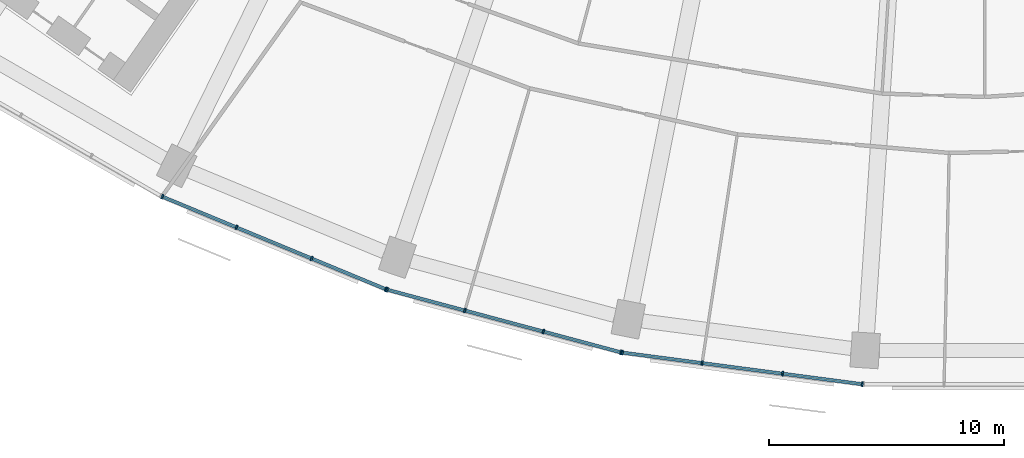
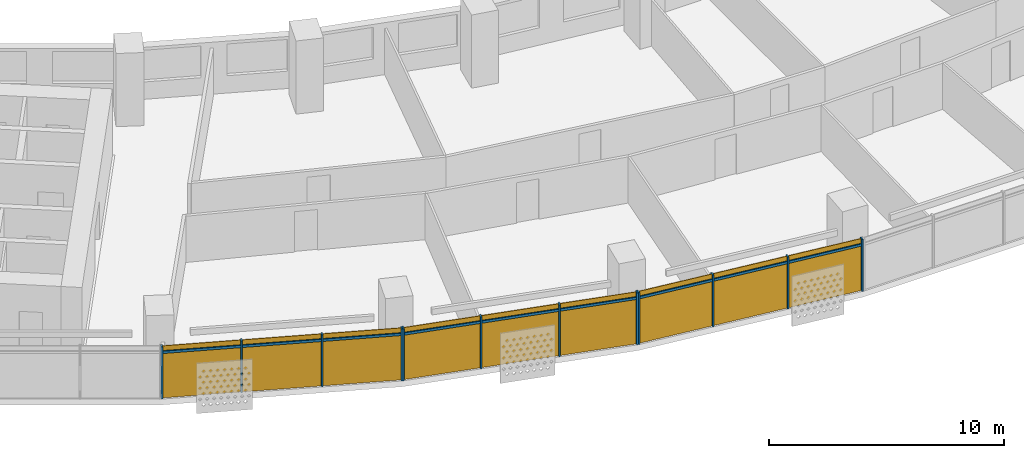
# One storey, part 19 of 29: 21 members, 3 curtain walls.
"""IFC4 building model written with IfcOpenShell, lengths in metres."""

from ifc_helpers import new_model, si_unit, direction, frame, origin, origin_2d, place, context, subcontext, project, spatial, rectangle, extrude, material, material_profile, profile_set, type_object, element, aggregate, save


model = new_model("IFC4")

# Units and contexts
model_context = context("Model", 3, precision=1e-05, world=origin(), true_north=direction((0.0, 1.0)))
body_context = subcontext(model_context, "Body", "Model", "MODEL_VIEW")
ifc_project = project(units=[si_unit("LENGTHUNIT", "METRE"), si_unit("AREAUNIT", "SQUARE_METRE"), si_unit("VOLUMEUNIT", "CUBIC_METRE"), si_unit("PLANEANGLEUNIT", "RADIAN"), si_unit("MASSUNIT", "GRAM", prefix="KILO")], contexts=[model_context])

# Member
ifc_material = material(Name="Aluminium 6063-T6 anodised", Category="aluminium")
ifc_material_profile_1 = material_profile(ifc_material, rectangle(XDim=0.199951171875, YDim=0.070068359375, at=origin_2d()))
ifc_profile_set_1 = profile_set([ifc_material_profile_1], Name="Aluminium 6063-T6 anodised")
member_type_1 = type_object("IfcMemberType", Name="Mullion 70 x 200 aluminium", PredefinedType="MULLION", material=ifc_profile_set_1)
site_placement = place(None, origin())
building_placement = place(site_placement, origin())
storey_placement = place(building_placement, frame((0.0, 0.0, 113.89990234375)))
member_1_placement = place(storey_placement, frame((-35.0029296875, -71.04296875, 0.0), z_axis=(0.0, 0.0, 1.0), x_axis=(0.382683432365, 0.923879532511, 0.0)))
member_1 = element("IfcMember", 1, at=member_1_placement, type_object=member_type_1, Name="e-cw1-L25-out06/M00", PredefinedType="MULLION", context=body_context, shape_type="SweptSolid", body=[
    extrude(rectangle(XDim=0.199951171875, YDim=0.070068359375, at=origin_2d()), origin(), (0.0, 0.0, 1.0), 2.7001953125),
])

member_2_placement = place(storey_placement, frame((-31.8408203125, -72.352783203125, 0.0), z_axis=(0.0, 0.0, 1.0), x_axis=(0.382683432365, 0.923879532511, 0.0)))
member_2 = element("IfcMember", 2, at=member_2_placement, type_object=member_type_1, Name="e-cw1-L25-out06/M01", PredefinedType="MULLION", context=body_context, shape_type="SweptSolid", body=[
    extrude(rectangle(XDim=0.199951171875, YDim=0.070068359375, at=origin_2d()), origin(), (0.0, 0.0, 1.0), 2.7001953125),
])

member_3_placement = place(storey_placement, frame((-28.646240234375, -73.676025390625, 0.0), z_axis=(0.0, 0.0, 1.0), x_axis=(0.382683432365, 0.923879532511, 0.0)))
member_3 = element("IfcMember", 3, at=member_3_placement, type_object=member_type_1, Name="e-cw1-L25-out06/M02", PredefinedType="MULLION", context=body_context, shape_type="SweptSolid", body=[
    extrude(rectangle(XDim=0.199951171875, YDim=0.070068359375, at=origin_2d()), origin(), (0.0, 0.0, 1.0), 2.7001953125),
])

member_4_placement = place(storey_placement, frame((-25.484130859375, -74.98583984375, 0.0), z_axis=(0.0, 0.0, 1.0), x_axis=(0.382683432365, 0.923879532511, 0.0)))
member_4 = element("IfcMember", 4, at=member_4_placement, type_object=member_type_1, Name="e-cw1-L25-out06/M03", PredefinedType="MULLION", context=body_context, shape_type="SweptSolid", body=[
    extrude(rectangle(XDim=0.199951171875, YDim=0.070068359375, at=origin_2d()), origin(), (0.0, 0.0, 1.0), 2.7001953125),
])

member_5_placement = place(storey_placement, frame((-25.430419921875, -75.00390625, 0.0), z_axis=(0.0, 0.0, 1.0), x_axis=(0.258819045103, 0.965925826289, 0.0)))
member_5 = element("IfcMember", 5, at=member_5_placement, type_object=member_type_1, Name="e-cw1-L25-out07/M00", PredefinedType="MULLION", context=body_context, shape_type="SweptSolid", body=[
    extrude(rectangle(XDim=0.199951171875, YDim=0.070068359375, at=origin_2d()), origin(), (0.0, 0.0, 1.0), 2.7001953125),
])

member_6_placement = place(storey_placement, frame((-22.12451171875, -75.889892578125, 0.0), z_axis=(0.0, 0.0, 1.0), x_axis=(0.258819045103, 0.965925826289, 0.0)))
member_6 = element("IfcMember", 6, at=member_6_placement, type_object=member_type_1, Name="e-cw1-L25-out07/M01", PredefinedType="MULLION", context=body_context, shape_type="SweptSolid", body=[
    extrude(rectangle(XDim=0.199951171875, YDim=0.070068359375, at=origin_2d()), origin(), (0.0, 0.0, 1.0), 2.7001953125),
])

member_7_placement = place(storey_placement, frame((-18.78466796875, -76.78466796875, 0.0), z_axis=(0.0, 0.0, 1.0), x_axis=(0.258819045103, 0.965925826289, 0.0)))
member_7 = element("IfcMember", 7, at=member_7_placement, type_object=member_type_1, Name="e-cw1-L25-out07/M02", PredefinedType="MULLION", context=body_context, shape_type="SweptSolid", body=[
    extrude(rectangle(XDim=0.199951171875, YDim=0.070068359375, at=origin_2d()), origin(), (0.0, 0.0, 1.0), 2.7001953125),
])

member_8_placement = place(storey_placement, frame((-15.478515625, -77.670654296875, 0.0), z_axis=(0.0, 0.0, 1.0), x_axis=(0.258819045103, 0.965925826289, 0.0)))
member_8 = element("IfcMember", 8, at=member_8_placement, type_object=member_type_1, Name="e-cw1-L25-out07/M03", PredefinedType="MULLION", context=body_context, shape_type="SweptSolid", body=[
    extrude(rectangle(XDim=0.199951171875, YDim=0.070068359375, at=origin_2d()), origin(), (0.0, 0.0, 1.0), 2.7001953125),
])

member_9_placement = place(storey_placement, frame((-15.4228515625, -77.681640625, 0.0), z_axis=(0.0, 0.0, 1.0), x_axis=(0.13052619222, 0.991444861374, 0.0)))
member_9 = element("IfcMember", 9, at=member_9_placement, type_object=member_type_1, Name="e-cw1-L25-out08/M00", PredefinedType="MULLION", context=body_context, shape_type="SweptSolid", body=[
    extrude(rectangle(XDim=0.199951171875, YDim=0.070068359375, at=origin_2d()), origin(), (0.0, 0.0, 1.0), 2.7001953125),
])

member_10_placement = place(storey_placement, frame((-12.029541015625, -78.12841796875, 0.0), z_axis=(0.0, 0.0, 1.0), x_axis=(0.13052619222, 0.991444861374, 0.0)))
member_10 = element("IfcMember", 10, at=member_10_placement, type_object=member_type_1, Name="e-cw1-L25-out08/M01", PredefinedType="MULLION", context=body_context, shape_type="SweptSolid", body=[
    extrude(rectangle(XDim=0.199951171875, YDim=0.070068359375, at=origin_2d()), origin(), (0.0, 0.0, 1.0), 2.7001953125),
])

member_11_placement = place(storey_placement, frame((-8.6015625, -78.579833984375, 0.0), z_axis=(0.0, 0.0, 1.0), x_axis=(0.13052619222, 0.991444861374, 0.0)))
member_11 = element("IfcMember", 11, at=member_11_placement, type_object=member_type_1, Name="e-cw1-L25-out08/M02", PredefinedType="MULLION", context=body_context, shape_type="SweptSolid", body=[
    extrude(rectangle(XDim=0.199951171875, YDim=0.070068359375, at=origin_2d()), origin(), (0.0, 0.0, 1.0), 2.7001953125),
])

member_12_placement = place(storey_placement, frame((-5.2080078125, -79.026611328125, 0.0), z_axis=(0.0, 0.0, 1.0), x_axis=(0.13052619222, 0.991444861374, 0.0)))
member_12 = element("IfcMember", 12, at=member_12_placement, type_object=member_type_1, Name="e-cw1-L25-out08/M03", PredefinedType="MULLION", context=body_context, shape_type="SweptSolid", body=[
    extrude(rectangle(XDim=0.199951171875, YDim=0.070068359375, at=origin_2d()), origin(), (0.0, 0.0, 1.0), 2.7001953125),
])

ifc_material_profile_2 = material_profile(ifc_material, rectangle(XDim=0.139892578125, YDim=0.1201171875, at=origin_2d()))
ifc_profile_set_2 = profile_set([ifc_material_profile_2], Name="Aluminium 6063-T6 anodised")
member_type_2 = type_object("IfcMemberType", Name="Transom 120 x 140 aluminium", PredefinedType="USERDEFINED", material=ifc_profile_set_2)
member_13_placement = place(storey_placement, frame((-34.970458984375, -71.056396484375, 2.400146484375), z_axis=(0.923882814237, -0.382675509483, 0.0), x_axis=(0.382675509483, 0.923882814237, 0.0)))
member_13 = element("IfcMember", 13, at=member_13_placement, type_object=member_type_2, Name="e-cw1-L25-out06/T00", ObjectType="TRANSOM", PredefinedType="USERDEFINED", context=body_context, shape_type="SweptSolid", body=[
    extrude(rectangle(XDim=0.139892578125, YDim=0.1201171875, at=origin_2d()), origin(), (0.0, 0.0, 1.0), 3.3525390625),
])

member_14_placement = place(storey_placement, frame((-31.808349609375, -72.3662109375, 2.400146484375), z_axis=(0.923874529423, -0.382695510666, 0.0), x_axis=(0.382695510666, 0.923874529423, 0.0)))
member_14 = element("IfcMember", 14, at=member_14_placement, type_object=member_type_2, Name="e-cw1-L25-out06/T01", ObjectType="TRANSOM", PredefinedType="USERDEFINED", context=body_context, shape_type="SweptSolid", body=[
    extrude(rectangle(XDim=0.139892578125, YDim=0.1201171875, at=origin_2d()), origin(), (0.0, 0.0, 1.0), 3.387451171875),
])

member_15_placement = place(storey_placement, frame((-28.614013671875, -73.689453125, 2.400146484375), z_axis=(0.923882814237, -0.382675509483, 0.0), x_axis=(0.382675509483, 0.923882814237, 0.0)))
member_15 = element("IfcMember", 15, at=member_15_placement, type_object=member_type_2, Name="e-cw1-L25-out06/T02", ObjectType="TRANSOM", PredefinedType="USERDEFINED", context=body_context, shape_type="SweptSolid", body=[
    extrude(rectangle(XDim=0.139892578125, YDim=0.1201171875, at=origin_2d()), origin(), (0.0, 0.0, 1.0), 3.3525390625),
])

member_16_placement = place(storey_placement, frame((-25.396728515625, -75.01318359375, 2.400146484375), z_axis=(0.965932125453, -0.258795535157, 0.0), x_axis=(0.258795535157, 0.965932125453, 0.0)))
member_16 = element("IfcMember", 16, at=member_16_placement, type_object=member_type_2, Name="e-cw1-L25-out07/T00", ObjectType="TRANSOM", PredefinedType="USERDEFINED", context=body_context, shape_type="SweptSolid", body=[
    extrude(rectangle(XDim=0.139892578125, YDim=0.1201171875, at=origin_2d()), origin(), (0.0, 0.0, 1.0), 3.352783203125),
])

member_17_placement = place(storey_placement, frame((-22.090576171875, -75.89892578125, 2.400146484375), z_axis=(0.965931646033, -0.258797324547, 0.0), x_axis=(0.258797324547, 0.965931646033, 0.0)))
member_17 = element("IfcMember", 17, at=member_17_placement, type_object=member_type_2, Name="e-cw1-L25-out07/T01", ObjectType="TRANSOM", PredefinedType="USERDEFINED", context=body_context, shape_type="SweptSolid", body=[
    extrude(rectangle(XDim=0.139892578125, YDim=0.1201171875, at=origin_2d()), origin(), (0.0, 0.0, 1.0), 3.3876953125),
])

member_18_placement = place(storey_placement, frame((-18.750732421875, -76.7939453125, 2.400146484375), z_axis=(0.965927247937, -0.258813739382, 0.0), x_axis=(0.258813739382, 0.965927247937, 0.0)))
member_18 = element("IfcMember", 18, at=member_18_placement, type_object=member_type_2, Name="e-cw1-L25-out07/T02", ObjectType="TRANSOM", PredefinedType="USERDEFINED", context=body_context, shape_type="SweptSolid", body=[
    extrude(rectangle(XDim=0.139892578125, YDim=0.1201171875, at=origin_2d()), origin(), (0.0, 0.0, 1.0), 3.3525390625),
])

member_19_placement = place(storey_placement, frame((-15.38818359375, -77.686279296875, 2.400146484375), z_axis=(0.991449089759, -0.130494070426, 0.0), x_axis=(0.130494070426, 0.991449089759, 0.0)))
member_19 = element("IfcMember", 19, at=member_19_placement, type_object=member_type_2, Name="e-cw1-L25-out08/T00", ObjectType="TRANSOM", PredefinedType="USERDEFINED", context=body_context, shape_type="SweptSolid", body=[
    extrude(rectangle(XDim=0.139892578125, YDim=0.1201171875, at=origin_2d()), origin(), (0.0, 0.0, 1.0), 3.3525390625),
])

member_20_placement = place(storey_placement, frame((-11.994873046875, -78.133056640625, 2.400146484375), z_axis=(0.991446198807, -0.130516033004, 0.0), x_axis=(0.130516033004, 0.991446198807, 0.0)))
member_20 = element("IfcMember", 20, at=member_20_placement, type_object=member_type_2, Name="e-cw1-L25-out08/T01", ObjectType="TRANSOM", PredefinedType="USERDEFINED", context=body_context, shape_type="SweptSolid", body=[
    extrude(rectangle(XDim=0.139892578125, YDim=0.1201171875, at=origin_2d()), origin(), (0.0, 0.0, 1.0), 3.3876953125),
])

member_21_placement = place(storey_placement, frame((-8.56689453125, -78.584228515625, 2.400146484375), z_axis=(0.991439665896, -0.130565649721, 0.0), x_axis=(0.130565649721, 0.991439665896, 0.0)))
member_21 = element("IfcMember", 21, at=member_21_placement, type_object=member_type_2, Name="e-cw1-L25-out08/T02", ObjectType="TRANSOM", PredefinedType="USERDEFINED", context=body_context, shape_type="SweptSolid", body=[
    extrude(rectangle(XDim=0.139892578125, YDim=0.1201171875, at=origin_2d()), origin(), (0.0, 0.0, 1.0), 3.352783203125),
])

# Site, building, storey
site = spatial("IfcSite", under=ifc_project, at=site_placement, CompositionType="ELEMENT")
building = spatial("IfcBuilding", under=site, at=building_placement, Name="Qamariyya Broadcast Tower", CompositionType="ELEMENT")
storey = spatial("IfcBuildingStorey", under=building, at=storey_placement, Name="L25", CompositionType="ELEMENT", Elevation=113.89990234375)

# Curtain wall
curtain_wall_type = type_object("IfcCurtainWallType", Name="Unitised curtain wall, anodised aluminium", PredefinedType="NOTDEFINED", material=ifc_material)
curtain_wall_1_placement = place(storey_placement, origin())
curtain_wall_1 = element("IfcCurtainWall", 22, at=curtain_wall_1_placement, inside=storey, type_object=curtain_wall_type, Name="e-cw1-L25-out06", PredefinedType="NOTDEFINED", context=body_context, shape_type="SweptSolid", body=[
    extrude(rectangle(XDim=3.3525390625, YDim=0.031982421875, at=origin_2d()), frame((-33.421875, -71.69775390625, 0.0), x_axis=(0.923872250857, -0.382701011361, 0.0)), (0.0, 0.0, 1.0), 2.340087890625),
    extrude(rectangle(XDim=3.3525390625, YDim=0.031982421875, at=origin_2d()), frame((-33.421875, -71.69775390625, 2.460205078125), x_axis=(0.923872250857, -0.382701011361, 0.0)), (0.0, 0.0, 1.0), 0.239990234375),
    extrude(rectangle(XDim=3.3876953125, YDim=0.031982421875, at=origin_2d()), frame((-30.24365234375, -73.014404296875, 0.0), x_axis=(0.923872250857, -0.382701011361, 0.0)), (0.0, 0.0, 1.0), 2.340087890625),
    extrude(rectangle(XDim=3.3876953125, YDim=0.031982421875, at=origin_2d()), frame((-30.24365234375, -73.014404296875, 2.460205078125), x_axis=(0.923872250857, -0.382701011361, 0.0)), (0.0, 0.0, 1.0), 0.239990234375),
    extrude(rectangle(XDim=3.3525390625, YDim=0.031982421875, at=origin_2d()), frame((-27.065185546875, -74.3310546875, 0.0), x_axis=(0.923872250857, -0.382701011361, 0.0)), (0.0, 0.0, 1.0), 2.340087890625),
    extrude(rectangle(XDim=3.3525390625, YDim=0.031982421875, at=origin_2d()), frame((-27.065185546875, -74.3310546875, 2.460205078125), x_axis=(0.923872250857, -0.382701011361, 0.0)), (0.0, 0.0, 1.0), 0.239990234375),
])

aggregate(curtain_wall_1, [member_1, member_2, member_3, member_4, member_13, member_14, member_15])

curtain_wall_2_placement = place(storey_placement, origin())
curtain_wall_2 = element("IfcCurtainWall", 23, at=curtain_wall_2_placement, inside=storey, type_object=curtain_wall_type, Name="e-cw1-L25-out07", PredefinedType="NOTDEFINED", context=body_context, shape_type="SweptSolid", body=[
    extrude(rectangle(XDim=3.352783203125, YDim=0.031982421875, at=origin_2d()), frame((-23.777587890625, -75.44677734375, 0.0), x_axis=(0.965923677743, -0.258827063454, 0.0)), (0.0, 0.0, 1.0), 2.340087890625),
    extrude(rectangle(XDim=3.352783203125, YDim=0.031982421875, at=origin_2d()), frame((-23.777587890625, -75.44677734375, 2.460205078125), x_axis=(0.965923677743, -0.258827063454, 0.0)), (0.0, 0.0, 1.0), 0.239990234375),
    extrude(rectangle(XDim=3.3876953125, YDim=0.031982421875, at=origin_2d()), frame((-20.45458984375, -76.33740234375, 0.0), x_axis=(0.965923677743, -0.258827063454, 0.0)), (0.0, 0.0, 1.0), 2.340087890625),
    extrude(rectangle(XDim=3.3876953125, YDim=0.031982421875, at=origin_2d()), frame((-20.45458984375, -76.33740234375, 2.460205078125), x_axis=(0.965923677743, -0.258827063454, 0.0)), (0.0, 0.0, 1.0), 0.239990234375),
    extrude(rectangle(XDim=3.352783203125, YDim=0.031982421875, at=origin_2d()), frame((-17.131591796875, -77.227783203125, 0.0), x_axis=(0.965923677743, -0.258827063454, 0.0)), (0.0, 0.0, 1.0), 2.340087890625),
    extrude(rectangle(XDim=3.352783203125, YDim=0.031982421875, at=origin_2d()), frame((-17.131591796875, -77.227783203125, 2.460205078125), x_axis=(0.965923677743, -0.258827063454, 0.0)), (0.0, 0.0, 1.0), 0.239990234375),
])

aggregate(curtain_wall_2, [member_5, member_6, member_7, member_8, member_16, member_17, member_18])

curtain_wall_3_placement = place(storey_placement, origin())
curtain_wall_3 = element("IfcCurtainWall", 24, at=curtain_wall_3_placement, inside=storey, type_object=curtain_wall_type, Name="e-cw1-L25-out08", PredefinedType="NOTDEFINED", context=body_context, shape_type="SweptSolid", body=[
    extrude(rectangle(XDim=3.3525390625, YDim=0.031982421875, at=origin_2d()), frame((-13.72607421875, -77.9052734375, 0.0), x_axis=(0.991447084105, -0.13050930779, 0.0)), (0.0, 0.0, 1.0), 2.340087890625),
    extrude(rectangle(XDim=3.3525390625, YDim=0.031982421875, at=origin_2d()), frame((-13.72607421875, -77.9052734375, 2.460205078125), x_axis=(0.991447084105, -0.13050930779, 0.0)), (0.0, 0.0, 1.0), 0.239990234375),
    extrude(rectangle(XDim=3.3876953125, YDim=0.031982421875, at=origin_2d()), frame((-10.3154296875, -78.35400390625, 0.0), x_axis=(0.991447084105, -0.13050930779, 0.0)), (0.0, 0.0, 1.0), 2.340087890625),
    extrude(rectangle(XDim=3.3876953125, YDim=0.031982421875, at=origin_2d()), frame((-10.3154296875, -78.35400390625, 2.460205078125), x_axis=(0.991447084105, -0.13050930779, 0.0)), (0.0, 0.0, 1.0), 0.239990234375),
    extrude(rectangle(XDim=3.3525390625, YDim=0.031982421875, at=origin_2d()), frame((-6.90478515625, -78.802978515625, 0.0), x_axis=(0.991447084105, -0.13050930779, 0.0)), (0.0, 0.0, 1.0), 2.340087890625),
    extrude(rectangle(XDim=3.3525390625, YDim=0.031982421875, at=origin_2d()), frame((-6.90478515625, -78.802978515625, 2.460205078125), x_axis=(0.991447084105, -0.13050930779, 0.0)), (0.0, 0.0, 1.0), 0.239990234375),
])

aggregate(curtain_wall_3, [member_9, member_10, member_11, member_12, member_19, member_20, member_21])

save(model, "model.ifc")
